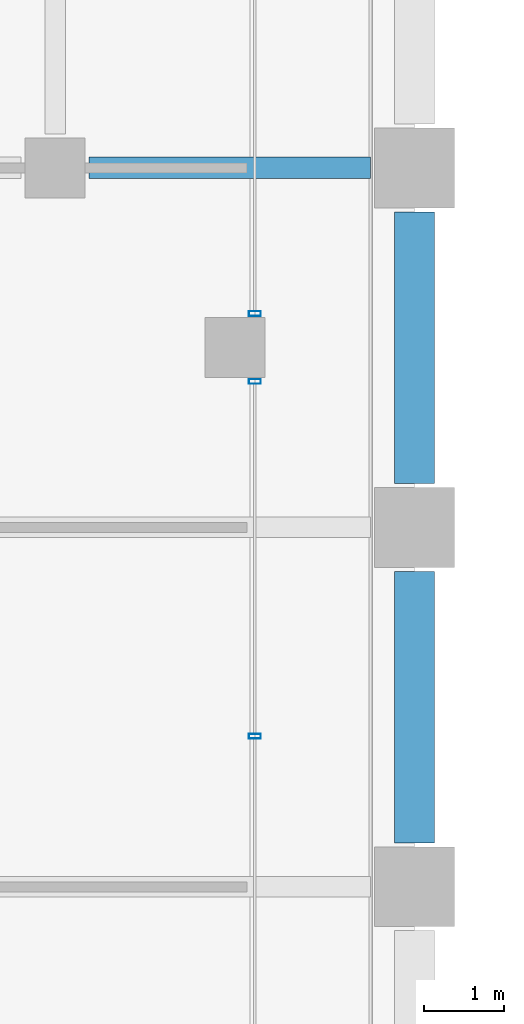
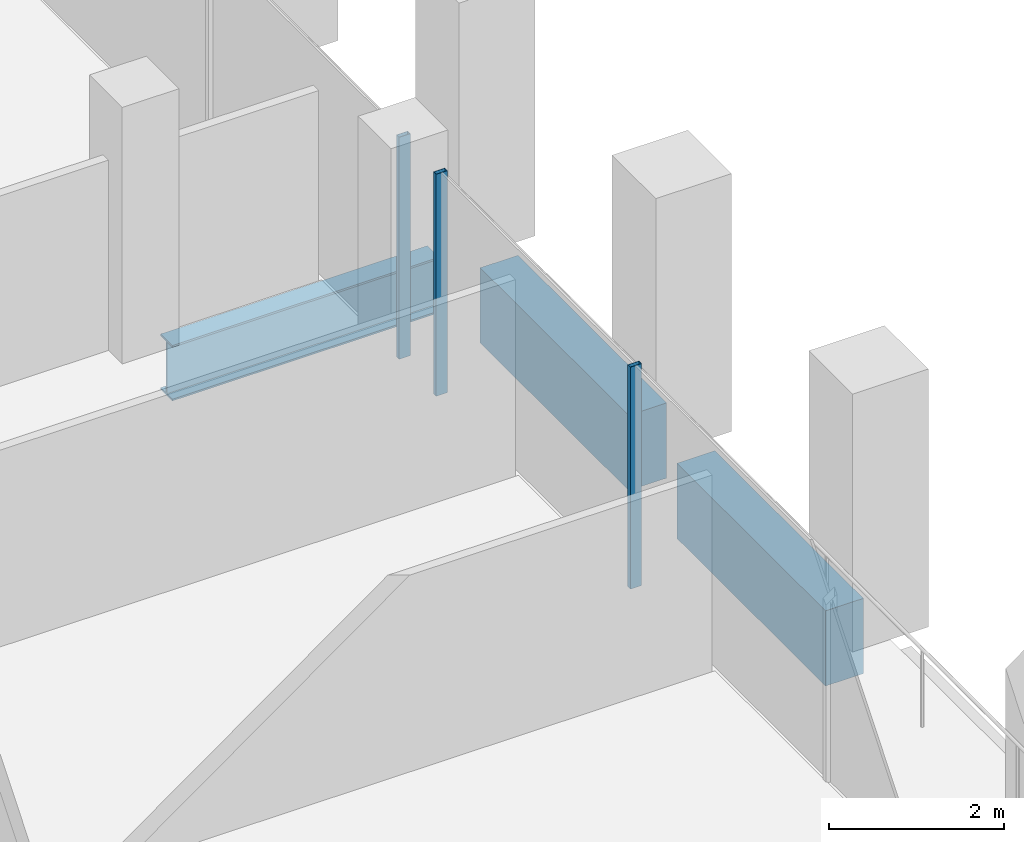
# One storey, part 19 of 52: 3 beams, 3 members, 2 elements without a shape of their own.
"""IFC4 building model written with IfcOpenShell, lengths in metres."""

from ifc_helpers import new_model, si_unit, direction, frame, origin, origin_2d, place, context, subcontext, project, spatial, rectangle, hollow_rectangle, i_section, extrude, material, material_profile, profile_set, type_object, element, aggregate, save


model = new_model("IFC4")

# Units and contexts
model_context = context("Model", 3, precision=1e-05, world=origin(), true_north=direction((0.0, 1.0)))
body_context = subcontext(model_context, "Body", "Model", "MODEL_VIEW")
ifc_project = project(units=[si_unit("LENGTHUNIT", "METRE"), si_unit("AREAUNIT", "SQUARE_METRE"), si_unit("VOLUMEUNIT", "CUBIC_METRE"), si_unit("PLANEANGLEUNIT", "RADIAN"), si_unit("MASSUNIT", "GRAM", prefix="KILO")], contexts=[model_context])

# Site, building, storey
site_placement = place(None, origin())
site = spatial("IfcSite", under=ifc_project, at=site_placement, CompositionType="ELEMENT")
building_placement = place(site_placement, origin())
building = spatial("IfcBuilding", under=site, at=building_placement, Name="Altepetl Exchange Towers", CompositionType="ELEMENT")
storey_placement = place(building_placement, frame((0.0, 0.0, 92.0)))
storey = spatial("IfcBuildingStorey", under=building, at=storey_placement, Name="L22", CompositionType="ELEMENT", Elevation=92.0)

# Beam
ifc_material_1 = material(Name="Steel S355", Category="steel")
ifc_material_profile_1 = material_profile(ifc_material_1, i_section(OverallWidth=0.26806640625, OverallDepth=0.77392578125, WebThickness=0.015380859375, FlangeThickness=0.025390625, at=origin_2d()), Name="W30X132")
ifc_profile_set_1 = profile_set([ifc_material_profile_1], Name="Steel S355")
beam_type_1 = type_object("IfcBeamType", Name="Girder W30X132", PredefinedType="BEAM", material=ifc_profile_set_1)
beam_placement = place(storey_placement, frame((67.925048828125, 58.5, -0.537109375), z_axis=(1.0, 0.0, 0.0), x_axis=(0.0, 1.0, 0.0)))
element("IfcBeam", 1, at=beam_placement, inside=storey, type_object=beam_type_1, Name="gd:A:L22:002", PredefinedType="BEAM", context=body_context, shape_type="SweptSolid", body=[
    extrude(i_section(OverallWidth=0.26806640625, OverallDepth=0.77392578125, WebThickness=0.015380859375, FlangeThickness=0.025390625, at=origin_2d()), origin(), (0.0, 0.0, 1.0), 3.52490234375),
])

# Curtain wall, members
ifc_material_2 = material(Name="Aluminium 6063-T6 glazing", Category="aluminium")
curtain_wall_type = type_object("IfcCurtainWallType", Name="Loggia glazing system", PredefinedType="NOTDEFINED", material=ifc_material_2)
curtain_wall_1_placement = place(storey_placement, origin())
curtain_wall_1 = element("IfcCurtainWall", 2, at=curtain_wall_1_placement, inside=storey, type_object=curtain_wall_type, Name="CW1 run", PredefinedType="NOTDEFINED")
ifc_material_3 = material(Name="Aluminium 6063-T6", Category="aluminium")
ifc_material_profile_2 = material_profile(ifc_material_3, hollow_rectangle(XDim=0.06005859375, YDim=0.14990234375, WallThickness=0.0029296875, at=origin_2d()), Name="Mullion 60x150 aluminium")
ifc_profile_set_2 = profile_set([ifc_material_profile_2], Name="Aluminium 6063-T6")
member_type = type_object("IfcMemberType", Name="Mullion 60x150 aluminium", PredefinedType="MULLION", material=ifc_profile_set_2)
member_1_placement = place(storey_placement, frame((70.0, 51.384033203125, 0.0), z_axis=(0.0, 0.0, 1.0), x_axis=(0.0, 1.0, 0.0)))
member_1 = element("IfcMember", 3, at=member_1_placement, type_object=member_type, Name="MU1 mullion", PredefinedType="MULLION", context=body_context, shape_type="SweptSolid", body=[
    extrude(hollow_rectangle(XDim=0.06005859375, YDim=0.14990234375, WallThickness=0.0029296875, at=origin_2d()), origin(), (0.0, 0.0, 1.0), 3.10009765625),
])
member_2_placement = place(storey_placement, frame((70.0, 55.824951171875, 0.0), z_axis=(0.0, 0.0, 1.0), x_axis=(0.0, 1.0, 0.0)))
member_2 = element("IfcMember", 4, at=member_2_placement, type_object=member_type, Name="MU1 mullion", PredefinedType="MULLION", context=body_context, shape_type="SweptSolid", body=[
    extrude(hollow_rectangle(XDim=0.06005859375, YDim=0.14990234375, WallThickness=0.0029296875, at=origin_2d()), origin(), (0.0, 0.0, 1.0), 3.10009765625),
])
aggregate(curtain_wall_1, [member_1, member_2])

# Curtain wall, member
curtain_wall_2_placement = place(storey_placement, origin())
curtain_wall_2 = element("IfcCurtainWall", 5, at=curtain_wall_2_placement, inside=storey, type_object=curtain_wall_type, Name="CW1 run", PredefinedType="NOTDEFINED")
member_3_placement = place(storey_placement, frame((70.0, 56.675048828125, 0.0), z_axis=(0.0, 0.0, 1.0), x_axis=(0.0, 1.0, 0.0)))
member_3 = element("IfcMember", 6, at=member_3_placement, type_object=member_type, Name="MU1 mullion", PredefinedType="MULLION", context=body_context, shape_type="SweptSolid", body=[
    extrude(hollow_rectangle(XDim=0.06005859375, YDim=0.14990234375, WallThickness=0.0029296875, at=origin_2d()), origin(), (0.0, 0.0, 1.0), 3.10009765625),
])
aggregate(curtain_wall_2, [member_3])

# Beams
ifc_material_4 = material(Name="Concrete C50/60 precast with cantera amarilla facing", Category="concrete")
ifc_material_profile_3 = material_profile(ifc_material_4, rectangle(XDim=0.5, YDim=1.050048828125, at=origin_2d()), Name="500 x 1050")
ifc_profile_set_3 = profile_set([ifc_material_profile_3], Name="Concrete C50/60 precast with cantera amarilla facing")
beam_type_2 = type_object("IfcBeamType", Name="Spandrel beam 500x1050 cantera amarilla", PredefinedType="SPANDREL", material=ifc_profile_set_3)
for number, where, z_axis, x_axis, name in (
    (7, (72.0, 50.050048828125, -0.675048828125), (0.0, 1.0, 0.0), (-1.0, 0.0, 0.0), "sp:A:L22:016"),
    (8, (72.0, 54.550048828125, -0.675048828125), (0.0, 1.0, 0.0), (-1.0, 0.0, 0.0), "sp:A:L22:017"),
):
    element("IfcBeam", number, at=place(storey_placement, frame(where, z_axis=z_axis, x_axis=x_axis)), inside=storey, type_object=beam_type_2, Name=name, PredefinedType="SPANDREL", context=body_context, shape_type="SweptSolid", body=[
        extrude(rectangle(XDim=0.5, YDim=1.050048828125, at=origin_2d()), origin(), (0.0, 0.0, 1.0), 3.39990234375),
    ])

save(model, "model.ifc")
